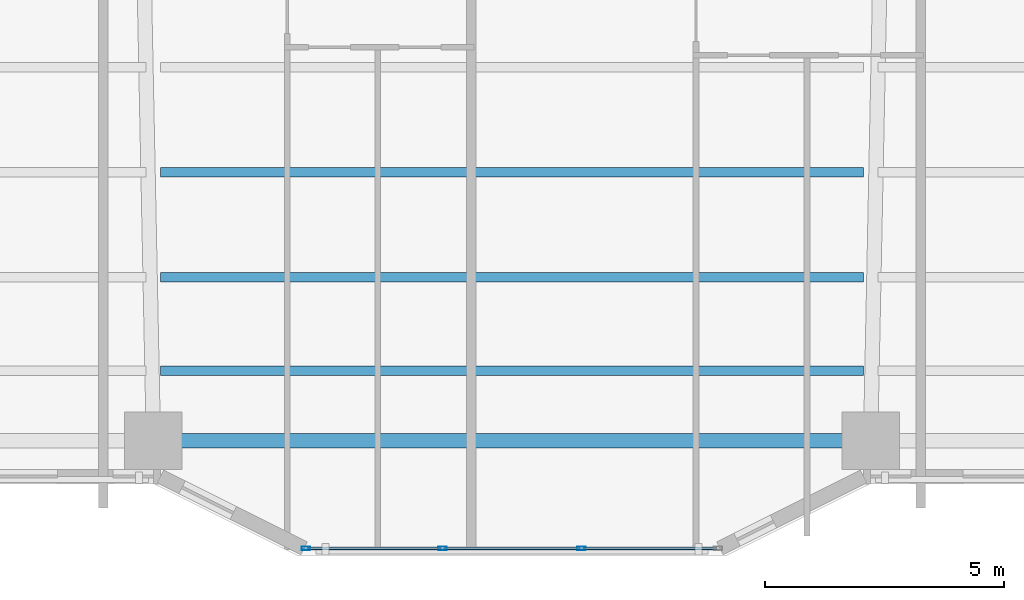
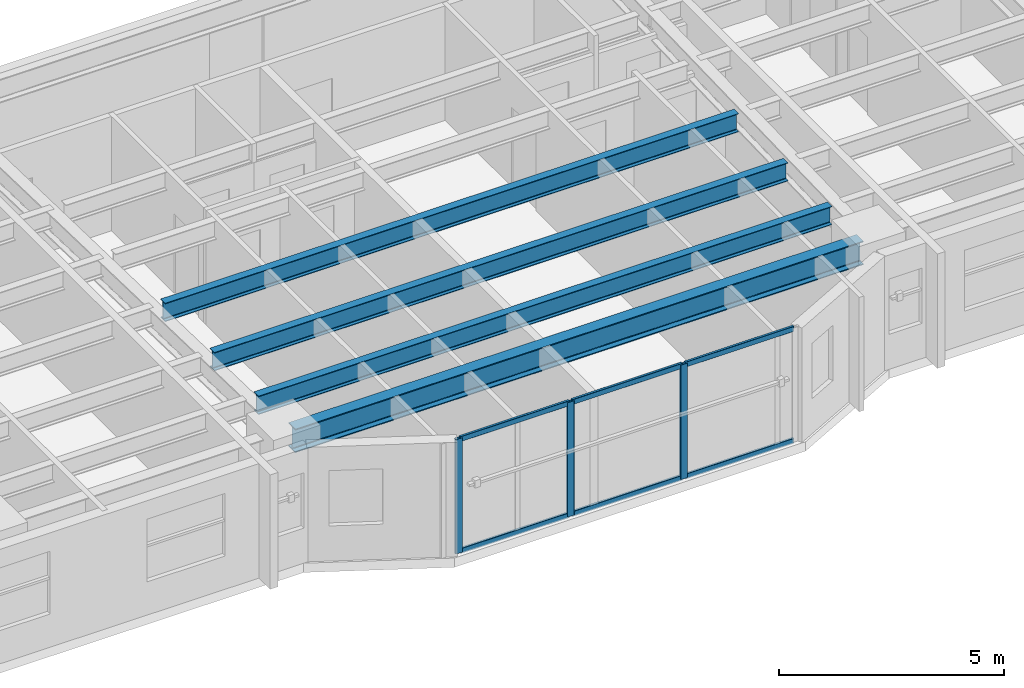
# One storey, part 2 of 21: 9 members, 4 beams, 1 element without a shape of its own.
"""IFC4 building model written with IfcOpenShell, lengths in metres."""

from ifc_helpers import new_model, si_unit, direction, frame, origin, origin_2d, place, context, subcontext, project, spatial, hollow_rectangle, i_section, extrude, material, layer, layer_set, material_profile, profile_set, type_object, element, aggregate, save


model = new_model("IFC4")

# Units and contexts
model_context = context("Model", 3, precision=1e-05, world=origin(), true_north=direction((0.0, 1.0)))
body_context = subcontext(model_context, "Body", "Model", "MODEL_VIEW")
ifc_project = project(units=[si_unit("LENGTHUNIT", "METRE"), si_unit("AREAUNIT", "SQUARE_METRE"), si_unit("VOLUMEUNIT", "CUBIC_METRE"), si_unit("PLANEANGLEUNIT", "RADIAN"), si_unit("MASSUNIT", "GRAM", prefix="KILO")], contexts=[model_context])

# Site, building, storey
site_placement = place(None, origin())
site = spatial("IfcSite", under=ifc_project, at=site_placement, CompositionType="ELEMENT")
building_placement = place(site_placement, origin())
building = spatial("IfcBuilding", under=site, at=building_placement, Name="Tarnavaz Court Tower", CompositionType="ELEMENT")
storey_placement = place(building_placement, frame((0.0, 0.0, 44.10009765625)))
storey = spatial("IfcBuildingStorey", under=building, at=storey_placement, Name="L11", CompositionType="ELEMENT", Elevation=44.10009765625)

# Beams
ifc_material_1 = material(Name="Steel S355", Category="steel")
ifc_material_profile_1 = material_profile(ifc_material_1, i_section(OverallWidth=0.199951171875, OverallDepth=0.5, WebThickness=0.01025390625, FlangeThickness=0.01611328125, FilletRadius=0.02099609375, at=origin_2d()), Name="IPE 500")
ifc_profile_set_1 = profile_set([ifc_material_profile_1], Name="Steel S355")
beam_type_1 = type_object("IfcBeamType", Name="BM-J-IPE500", PredefinedType="JOIST", material=ifc_profile_set_1)
for number, where, z_axis, x_axis, name in (
    (1, (-7.35009765625, -17.18798828125, 2.849853515625), (1.0, 0.0, 0.0), (0.0, 1.0, 0.0), "L11 Beam JS3-2"),
    (2, (-7.35009765625, -19.384033203125, 2.849853515625), (1.0, 0.0, 0.0), (0.0, 1.0, 0.0), "L11 Beam JS4-2"),
    (3, (-7.35009765625, -21.3359375, 2.849853515625), (1.0, 0.0, 0.0), (0.0, 1.0, 0.0), "L11 Beam JS5-2"),
):
    element("IfcBeam", number, at=place(storey_placement, frame(where, z_axis=z_axis, x_axis=x_axis)), inside=storey, type_object=beam_type_1, Name=name, PredefinedType="JOIST", context=body_context, shape_type="SweptSolid", body=[
        extrude(i_section(OverallWidth=0.199951171875, OverallDepth=0.5, WebThickness=0.01025390625, FlangeThickness=0.01611328125, FilletRadius=0.02099609375, at=origin_2d()), origin(), (0.0, 0.0, 1.0), 14.7001953125),
    ])
ifc_material_profile_2 = material_profile(ifc_material_1, i_section(OverallWidth=0.300048828125, OverallDepth=0.639892578125, WebThickness=0.013427734375, FlangeThickness=0.02587890625, FilletRadius=0.027099609375, at=origin_2d()), Name="HEA 650")
ifc_profile_set_2 = profile_set([ifc_material_profile_2], Name="Steel S355")
beam_type_2 = type_object("IfcBeamType", Name="BM-SP-HEA650", PredefinedType="SPANDREL", material=ifc_profile_set_2)
beam_placement = place(storey_placement, frame((-7.280029296875, -22.800048828125, 2.77978515625), z_axis=(1.0, 0.0, 0.0), x_axis=(0.0, 1.0, 0.0)))
element("IfcBeam", 4, at=beam_placement, inside=storey, type_object=beam_type_2, Name="L11 Beam PR-PS-2-PS-3", PredefinedType="SPANDREL", context=body_context, shape_type="SweptSolid", body=[
    extrude(i_section(OverallWidth=0.300048828125, OverallDepth=0.639892578125, WebThickness=0.013427734375, FlangeThickness=0.02587890625, FilletRadius=0.027099609375, at=origin_2d()), origin(), (0.0, 0.0, 1.0), 14.56005859375),
])

# Curtain wall, members
ifc_material_2 = material(Name="Anodised Aluminium 6063-T6 and Solar Low-E Glazing", Category="aluminium")
ifc_layer = layer(ifc_material_2, 0.179931640625)
ifc_layer_set = layer_set([ifc_layer], Name="Anodised Aluminium 6063-T6 and Solar Low-E Glazing")
curtain_wall_type = type_object("IfcCurtainWallType", Name="CW-SYS-02", PredefinedType="NOTDEFINED", material=ifc_layer_set)
curtain_wall_placement = place(storey_placement, origin())
curtain_wall = element("IfcCurtainWall", 5, at=curtain_wall_placement, inside=storey, type_object=curtain_wall_type, Name="L11 Iwan Prow Curtain Wall 17", PredefinedType="NOTDEFINED")
ifc_material_3 = material(Name="Anodised Aluminium 6063-T6", Category="aluminium")
ifc_material_profile_3 = material_profile(ifc_material_3, hollow_rectangle(XDim=0.074951171875, YDim=0.179931640625, WallThickness=0.0048828125, InnerFilletRadius=0.0048828125, OuterFilletRadius=0.010009765625, at=origin_2d()), Name="ALU RHS 180X75X5")
ifc_profile_set_3 = profile_set([ifc_material_profile_3], Name="Anodised Aluminium 6063-T6")
member_type_1 = type_object("IfcMemberType", Name="CW-MUL-180", PredefinedType="MULLION", material=ifc_profile_set_3)
member_1_placement = place(storey_placement, frame((1.449951171875, -25.050048828125, 0.0), z_axis=(0.0, 0.0, 1.0), x_axis=(0.0, -1.0, 0.0)))
member_1 = element("IfcMember", 6, at=member_1_placement, type_object=member_type_1, Name="CW mullion 2", PredefinedType="MULLION", context=body_context, shape_type="SweptSolid", body=[
    extrude(hollow_rectangle(XDim=0.074951171875, YDim=0.179931640625, WallThickness=0.0048828125, InnerFilletRadius=0.0048828125, OuterFilletRadius=0.010009765625, at=origin_2d()), origin(), (0.0, 0.0, 1.0), 3.099853515625),
])
member_2_placement = place(storey_placement, frame((-1.449951171875, -25.050048828125, 0.0), z_axis=(0.0, 0.0, 1.0), x_axis=(0.0, -1.0, 0.0)))
member_2 = element("IfcMember", 7, at=member_2_placement, type_object=member_type_1, Name="CW mullion 3", PredefinedType="MULLION", context=body_context, shape_type="SweptSolid", body=[
    extrude(hollow_rectangle(XDim=0.074951171875, YDim=0.179931640625, WallThickness=0.0048828125, InnerFilletRadius=0.0048828125, OuterFilletRadius=0.010009765625, at=origin_2d()), origin(), (0.0, 0.0, 1.0), 3.099853515625),
])
member_3_placement = place(storey_placement, frame((-4.3125, -25.050048828125, 0.0), z_axis=(0.0, 0.0, 1.0), x_axis=(0.0, -1.0, 0.0)))
member_3 = element("IfcMember", 8, at=member_3_placement, type_object=member_type_1, Name="CW mullion 4", PredefinedType="MULLION", context=body_context, shape_type="SweptSolid", body=[
    extrude(hollow_rectangle(XDim=0.074951171875, YDim=0.179931640625, WallThickness=0.0048828125, InnerFilletRadius=0.0048828125, OuterFilletRadius=0.010009765625, at=origin_2d()), origin(), (0.0, 0.0, 1.0), 3.099853515625),
])
ifc_material_profile_4 = material_profile(ifc_material_3, hollow_rectangle(XDim=0.06494140625, YDim=0.139892578125, WallThickness=0.00390625, InnerFilletRadius=0.00390625, OuterFilletRadius=0.008056640625, at=origin_2d()), Name="ALU RHS 140X65X4")
ifc_profile_set_4 = profile_set([ifc_material_profile_4], Name="Anodised Aluminium 6063-T6")
member_type_2 = type_object("IfcMemberType", Name="CW-TRN-140", PredefinedType="USERDEFINED", material=ifc_profile_set_4)
member_4_placement = place(storey_placement, frame((4.27490234375, -25.050048828125, 0.032470703125), z_axis=(-1.0, 0.0, 0.0), x_axis=(0.0, -1.0, 0.0)))
member_4 = element("IfcMember", 9, at=member_4_placement, type_object=member_type_2, Name="CW transom 1.1", ObjectType="TRANSOM", PredefinedType="USERDEFINED", context=body_context, shape_type="SweptSolid", body=[
    extrude(hollow_rectangle(XDim=0.06494140625, YDim=0.139892578125, WallThickness=0.00390625, InnerFilletRadius=0.00390625, OuterFilletRadius=0.008056640625, at=origin_2d()), origin(), (0.0, 0.0, 1.0), 2.787353515625),
])
member_5_placement = place(storey_placement, frame((4.27490234375, -25.050048828125, 3.0673828125), z_axis=(-1.0, 0.0, 0.0), x_axis=(0.0, -1.0, 0.0)))
member_5 = element("IfcMember", 10, at=member_5_placement, type_object=member_type_2, Name="CW transom 1.2", ObjectType="TRANSOM", PredefinedType="USERDEFINED", context=body_context, shape_type="SweptSolid", body=[
    extrude(hollow_rectangle(XDim=0.06494140625, YDim=0.139892578125, WallThickness=0.00390625, InnerFilletRadius=0.00390625, OuterFilletRadius=0.008056640625, at=origin_2d()), origin(), (0.0, 0.0, 1.0), 2.787353515625),
])
member_6_placement = place(storey_placement, frame((1.41259765625, -25.050048828125, 0.032470703125), z_axis=(-1.0, 0.0, 0.0), x_axis=(0.0, -1.0, 0.0)))
member_6 = element("IfcMember", 11, at=member_6_placement, type_object=member_type_2, Name="CW transom 2.1", ObjectType="TRANSOM", PredefinedType="USERDEFINED", context=body_context, shape_type="SweptSolid", body=[
    extrude(hollow_rectangle(XDim=0.06494140625, YDim=0.139892578125, WallThickness=0.00390625, InnerFilletRadius=0.00390625, OuterFilletRadius=0.008056640625, at=origin_2d()), origin(), (0.0, 0.0, 1.0), 2.8251953125),
])
member_7_placement = place(storey_placement, frame((1.41259765625, -25.050048828125, 3.0673828125), z_axis=(-1.0, 0.0, 0.0), x_axis=(0.0, -1.0, 0.0)))
member_7 = element("IfcMember", 12, at=member_7_placement, type_object=member_type_2, Name="CW transom 2.2", ObjectType="TRANSOM", PredefinedType="USERDEFINED", context=body_context, shape_type="SweptSolid", body=[
    extrude(hollow_rectangle(XDim=0.06494140625, YDim=0.139892578125, WallThickness=0.00390625, InnerFilletRadius=0.00390625, OuterFilletRadius=0.008056640625, at=origin_2d()), origin(), (0.0, 0.0, 1.0), 2.8251953125),
])
member_8_placement = place(storey_placement, frame((-1.487548828125, -25.050048828125, 0.032470703125), z_axis=(-1.0, 0.0, 0.0), x_axis=(0.0, -1.0, 0.0)))
member_8 = element("IfcMember", 13, at=member_8_placement, type_object=member_type_2, Name="CW transom 3.1", ObjectType="TRANSOM", PredefinedType="USERDEFINED", context=body_context, shape_type="SweptSolid", body=[
    extrude(hollow_rectangle(XDim=0.06494140625, YDim=0.139892578125, WallThickness=0.00390625, InnerFilletRadius=0.00390625, OuterFilletRadius=0.008056640625, at=origin_2d()), origin(), (0.0, 0.0, 1.0), 2.787353515625),
])
member_9_placement = place(storey_placement, frame((-1.487548828125, -25.050048828125, 3.0673828125), z_axis=(-1.0, 0.0, 0.0), x_axis=(0.0, -1.0, 0.0)))
member_9 = element("IfcMember", 14, at=member_9_placement, type_object=member_type_2, Name="CW transom 3.2", ObjectType="TRANSOM", PredefinedType="USERDEFINED", context=body_context, shape_type="SweptSolid", body=[
    extrude(hollow_rectangle(XDim=0.06494140625, YDim=0.139892578125, WallThickness=0.00390625, InnerFilletRadius=0.00390625, OuterFilletRadius=0.008056640625, at=origin_2d()), origin(), (0.0, 0.0, 1.0), 2.787353515625),
])
aggregate(curtain_wall, [member_1, member_2, member_3, member_4, member_5, member_6, member_7, member_8, member_9])

save(model, "model.ifc")
